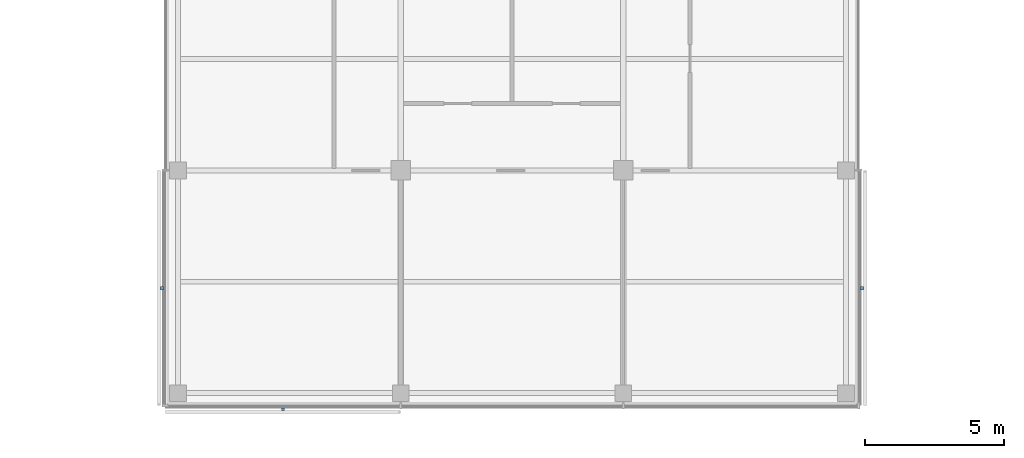
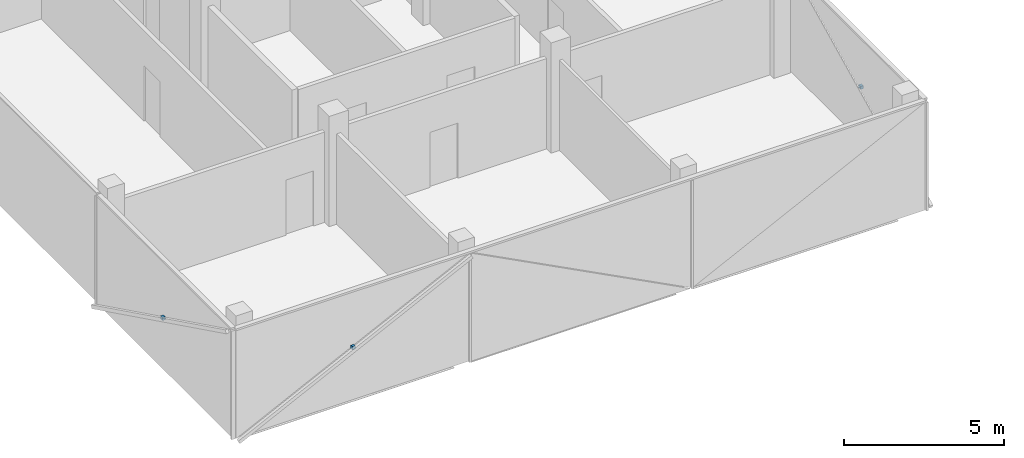
# One storey, part 14 of 16: 3 discrete accessories.
"""IFC4 building model written with IfcOpenShell, lengths in metres."""

from ifc_helpers import new_model, si_unit, direction, frame, origin, origin_2d, place, context, subcontext, project, spatial, rectangle, extrude, material, type_object, element, save


model = new_model("IFC4")

# Units and contexts
model_context = context("Model", 3, precision=1e-05, world=origin(), true_north=direction((0.0, 1.0)))
body_context = subcontext(model_context, "Body", "Model", "MODEL_VIEW")
ifc_project = project(units=[si_unit("LENGTHUNIT", "METRE"), si_unit("AREAUNIT", "SQUARE_METRE"), si_unit("VOLUMEUNIT", "CUBIC_METRE"), si_unit("PLANEANGLEUNIT", "RADIAN"), si_unit("MASSUNIT", "GRAM", prefix="KILO")], contexts=[model_context])

# Site, building, storey
site_placement = place(None, origin())
site = spatial("IfcSite", under=ifc_project, at=site_placement, CompositionType="ELEMENT")
building_placement = place(site_placement, origin())
building = spatial("IfcBuilding", under=site, at=building_placement, Name="Crosswind Convention Tower", CompositionType="ELEMENT")
storey_placement = place(building_placement, frame((0.0, 0.0, 249.300048828125)))
storey = spatial("IfcBuildingStorey", under=building, at=storey_placement, Name="L53", CompositionType="ELEMENT", Elevation=249.300048828125)

# Discrete accessories
ifc_material = material(Name="Stainless steel", Category="steel")
discrete_accessory_type = type_object("IfcDiscreteAccessoryType", Name="BAGUETTE BRACKET BK3", PredefinedType="BRACKET", material=ifc_material)
for number, where, z_axis, x_axis, name in (
    (1, (112.424072265625, 75.77001953125, 1.704833984375), (0.0, 0.0, 1.0), (0.0, -1.0, 0.0), "BK3 baguette bracket"),
    (2, (116.77001953125, 71.424072265625, 1.704833984375), (0.0, 0.0, 1.0), (1.0, 0.0, 0.0), "BK3 baguette bracket"),
    (3, (137.575927734375, 75.77001953125, 1.704833984375), (0.0, 0.0, 1.0), (0.0, 1.0, 0.0), "BK3 baguette bracket"),
):
    element("IfcDiscreteAccessory", number, at=place(storey_placement, frame(where, z_axis=z_axis, x_axis=x_axis)), inside=storey, type_object=discrete_accessory_type, Name=name, PredefinedType="BRACKET", context=body_context, shape_type="SweptSolid", body=[
        extrude(rectangle(XDim=0.1201171875, YDim=0.10009765625, at=origin_2d()), origin(), (0.0, 0.0, 1.0), 0.1201171875),
    ])

save(model, "model.ifc")
